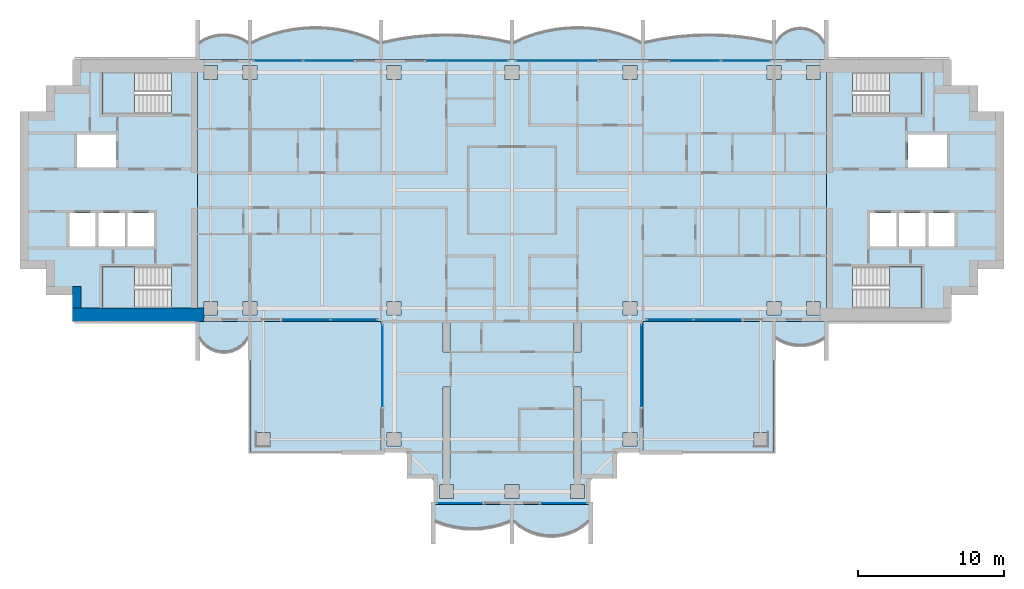
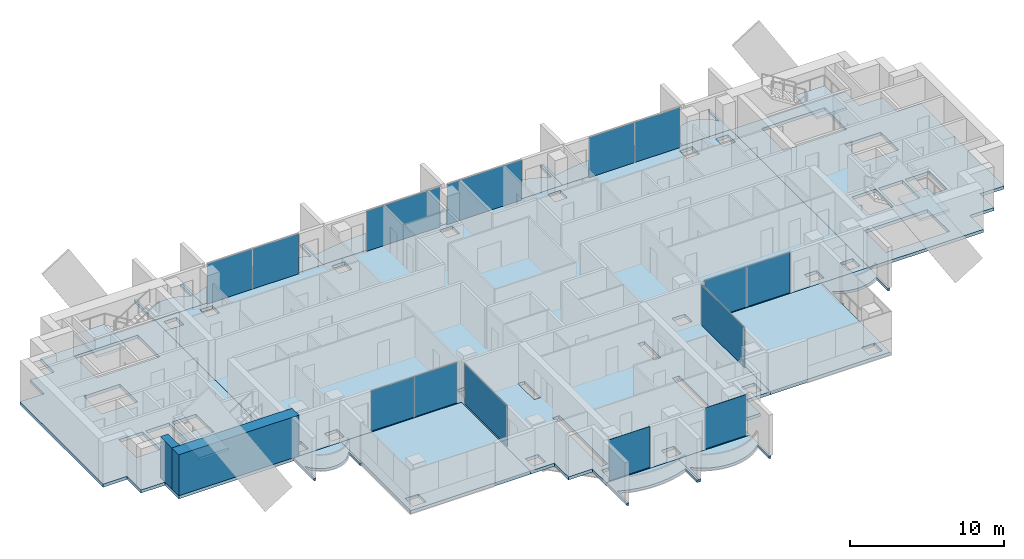
# One storey, part 7 of 18: 19 slabs, 14 plates, 2 walls, 14 elements without a shape of their own.
"""IFC4 building model written with IfcOpenShell, lengths in metres."""

import ifcopenshell
import ifcopenshell.guid

model = None  # the IFC model being written
_history = None  # IfcOwnerHistory: only IFC2X3 demands one
_inside = {}  # id of a spatial element -> (the spatial element, [elements in it])
_under = {}  # id of a project, library or spatial element -> (it, [spatial elements below it])
_declared = {}  # id of a project -> (the project, [libraries it declares])
_typed = {}  # id of a type object -> (the type object, [elements of that type])
_made_of = {}  # id of a material, layer set ... -> (it, [elements and type objects made of it])


def new_model(schema):
    """Start an empty IFC model of exactly this schema.

    Asked for "IFC4X3", IfcOpenShell would pick the latest addendum, in which some entities
    have other attributes; the version numbers below select the first issue.
    IFC2X3 requires an IfcOwnerHistory on every rooted entity: one is made here for all.
    """
    global model, _history
    if schema == "IFC4X3":
        model = ifcopenshell.file(schema_version=(4, 3, 0, 0))
    else:
        model = ifcopenshell.file(schema=schema)
    _inside.clear()
    _under.clear()
    _declared.clear()
    _typed.clear()
    _made_of.clear()
    _history = None
    if model.schema == "IFC2X3":
        org = make("IfcOrganization", Name="unknown")
        user = make(
            "IfcPersonAndOrganization",
            ThePerson=make("IfcPerson", FamilyName="unknown"),
            TheOrganization=org,
        )
        app = make(
            "IfcApplication",
            ApplicationDeveloper=org,
            Version="unknown",
            ApplicationFullName="unknown",
            ApplicationIdentifier="unknown",
        )
        _history = make(
            "IfcOwnerHistory",
            OwningUser=user,
            OwningApplication=app,
            ChangeAction="ADDED",
            CreationDate=0,
        )
    return model


def make(cls, **values):
    """One entity of the class cls with the attributes given. An attribute that is None is left unset."""
    return model.create_entity(
        cls, **{name: value for name, value in values.items() if value is not None}
    )


def rooted(cls, **values):
    """An entity with a GlobalId (a new one), such as an element, a storey or a relation."""
    return make(cls, GlobalId=ifcopenshell.guid.new(), OwnerHistory=_history, **values)


def si_unit(unit_type, name, prefix=None):
    """IfcSIUnit, for example si_unit("LENGTHUNIT", "METRE", prefix="MILLI")."""
    return make("IfcSIUnit", UnitType=unit_type, Prefix=prefix, Name=name)


def assignment(units):
    """IfcUnitAssignment: the units of a project."""
    return None if units is None else make("IfcUnitAssignment", Units=units)


def point(xyz):
    """IfcCartesianPoint."""
    return None if xyz is None else make("IfcCartesianPoint", Coordinates=xyz)


def direction(xyz):
    """IfcDirection."""
    return None if xyz is None else make("IfcDirection", DirectionRatios=xyz)


def frame(location, z_axis=None, x_axis=None):
    """IfcAxis2Placement3D, a coordinate frame: its origin and axes. An axis left out is left unset."""
    return make(
        "IfcAxis2Placement3D",
        Location=point(location),
        Axis=direction(z_axis),
        RefDirection=direction(x_axis),
    )


def frame_2d(location, x_axis=None):
    """IfcAxis2Placement2D, a coordinate frame in the plane: its origin and x axis."""
    return make(
        "IfcAxis2Placement2D", Location=point(location), RefDirection=direction(x_axis)
    )


def origin():
    """The frame at (0, 0, 0) with its axes left unset."""
    return frame((0.0, 0.0, 0.0))


def origin_2d():
    """The frame at (0, 0) in the plane with its x axis left unset."""
    return frame_2d((0.0, 0.0))


def place(relative_to, where):
    """IfcLocalPlacement: puts the frame where relative to a parent placement (None: the world)."""
    return make(
        "IfcLocalPlacement", PlacementRelTo=relative_to, RelativePlacement=where
    )


def context(
    kind, dimensions, precision=None, world=None, true_north=None, identifier=None
):
    """IfcGeometricRepresentationContext, for example the 3D "Model" context."""
    return make(
        "IfcGeometricRepresentationContext",
        ContextIdentifier=identifier,
        ContextType=kind,
        CoordinateSpaceDimension=dimensions,
        Precision=precision,
        WorldCoordinateSystem=world,
        TrueNorth=true_north,
    )


def subcontext(parent, identifier, kind, view, scale=None):
    """IfcGeometricRepresentationSubContext, for example "Body" below "Model"."""
    return make(
        "IfcGeometricRepresentationSubContext",
        ContextIdentifier=identifier,
        ContextType=kind,
        ParentContext=parent,
        TargetScale=scale,
        TargetView=view,
    )


def project(units=None, contexts=None):
    """IfcProject with its units and contexts."""
    return rooted(
        "IfcProject",
        Name="project",
        RepresentationContexts=contexts,
        UnitsInContext=assignment(units),
    )


def spatial(cls, under=None, at=None, **own):
    """A site, building, storey or space (cls), placed at a placement, below another one or the project."""
    s = rooted(cls, ObjectPlacement=at, **own)
    if under is not None:
        _under.setdefault(under.id(), (under, []))[1].append(s)
    return s


def polyline(points):
    """IfcPolyline through the points."""
    return make("IfcPolyline", Points=[point(p) for p in points])


def profile(cls, at=None, kind="AREA", **sizes):
    """A parametric profile (cls). Its sizes go by their IFC names, for example OverallWidth=200.0."""
    return make(cls, ProfileType=kind, Position=at, **sizes)


def rectangle(**sizes):
    """IfcRectangleProfileDef."""
    return profile("IfcRectangleProfileDef", **sizes)


def outline(outer, holes=None, kind="AREA"):
    """IfcArbitraryClosedProfileDef: a profile drawn as a closed curve; with holes, ...WithVoids."""
    if holes is None:
        return make("IfcArbitraryClosedProfileDef", ProfileType=kind, OuterCurve=outer)
    return make(
        "IfcArbitraryProfileDefWithVoids",
        ProfileType=kind,
        OuterCurve=outer,
        InnerCurves=holes,
    )


def extrude(swept, where, along, depth):
    """IfcExtrudedAreaSolid: the profile swept, set in the frame where, extruded along a direction by depth."""
    return make(
        "IfcExtrudedAreaSolid",
        SweptArea=swept,
        Position=where,
        ExtrudedDirection=direction(along),
        Depth=depth,
    )


def shape(context_of_items, identifier, shape_type, items):
    """IfcShapeRepresentation: the items that make up one representation, for example the "Body"."""
    return make(
        "IfcShapeRepresentation",
        ContextOfItems=context_of_items,
        RepresentationIdentifier=identifier,
        RepresentationType=shape_type,
        Items=items,
    )


def material(Name=None, Category=None):
    """IfcMaterial."""
    return make("IfcMaterial", Name=Name, Category=Category)


def layer(
    of_material, thickness, ventilated=None, Name=None, Category=None, Priority=None
):
    """IfcMaterialLayer: one layer of a wall or slab, of a material (None: an air gap)."""
    return make(
        "IfcMaterialLayer",
        Material=of_material,
        LayerThickness=thickness,
        IsVentilated=ventilated,
        Name=Name,
        Category=Category,
        Priority=Priority,
    )


def layer_set(layers, Name=None):
    """IfcMaterialLayerSet."""
    return make("IfcMaterialLayerSet", MaterialLayers=layers, LayerSetName=Name)


def made_of(thing, what):
    """Note that an element or type object is made of a material, layer set ...; save() writes the relation."""
    if what is not None:
        _made_of.setdefault(what.id(), (what, []))[1].append(thing)
    return thing


def type_object(cls, material=None, **own):
    """A type object (cls), such as IfcWallType, which elements share."""
    return made_of(rooted(cls, **own), material)


def element(
    cls,
    number,
    at=None,
    inside=None,
    cuts=None,
    type_object=None,
    material=None,
    context=None,
    identifier="Body",
    shape_type=None,
    held_by="IfcProductDefinitionShape",
    body=None,
    shapes=None,
    **own,
):
    """One element of the class cls, such as IfcWall. Its Tag is "e" and its number.

    at: its placement. inside: the storey or other place that contains it. cuts: it is an
    opening in that element (IfcRelVoidsElement). A single representation is given by context,
    identifier, shape_type and body (its items); several are given by shapes. held_by: the class
    of the entity that holds the representations. save() writes the other relations.
    """
    e = rooted(cls, Tag="e%d" % number, ObjectPlacement=at, **own)
    if body is not None:
        shapes = [shape(context, identifier, shape_type, body)]
    if shapes is not None:
        e.Representation = make(held_by, Representations=shapes)
    if inside is not None:
        _inside.setdefault(inside.id(), (inside, []))[1].append(e)
    if cuts is not None:
        rooted(
            "IfcRelVoidsElement", RelatingBuildingElement=cuts, RelatedOpeningElement=e
        )
    if type_object is not None:
        _typed.setdefault(type_object.id(), (type_object, []))[1].append(e)
    return made_of(e, material)


def aggregate(whole, parts):
    """IfcRelAggregates: a whole, such as a stair, and the parts it consists of."""
    return rooted("IfcRelAggregates", RelatingObject=whole, RelatedObjects=parts)


def save(model, path):
    """Write the relations noted so far, then the file.

    IfcRelAggregates (storeys below a building ...), IfcRelContainedInSpatialStructure (elements
    in a storey), IfcRelDefinesByType, IfcRelAssociatesMaterial and IfcRelDeclares: one each for
    every whole, place, type object, material and project.
    """
    for whole, parts in _under.values():
        aggregate(whole, parts)
    for where, things in _inside.values():
        rooted(
            "IfcRelContainedInSpatialStructure",
            RelatedElements=things,
            RelatingStructure=where,
        )
    for kind, things in _typed.values():
        rooted("IfcRelDefinesByType", RelatedObjects=things, RelatingType=kind)
    for what, things in _made_of.values():
        rooted("IfcRelAssociatesMaterial", RelatedObjects=things, RelatingMaterial=what)
    for by, libraries in _declared.values():
        rooted("IfcRelDeclares", RelatingContext=by, RelatedDefinitions=libraries)
    model.write(path)


model = new_model("IFC4")

# Units and contexts
model_context = context("Model", 3, precision=1e-05, world=origin(), true_north=direction((0.0, 1.0)))
body_context = subcontext(model_context, "Body", "Model", "MODEL_VIEW")
ifc_project = project(units=[si_unit("LENGTHUNIT", "METRE"), si_unit("AREAUNIT", "SQUARE_METRE"), si_unit("VOLUMEUNIT", "CUBIC_METRE"), si_unit("PLANEANGLEUNIT", "RADIAN"), si_unit("MASSUNIT", "GRAM", prefix="KILO")], contexts=[model_context])

# Site, building, storey
site_placement = place(None, origin())
site = spatial("IfcSite", under=ifc_project, at=site_placement, CompositionType="ELEMENT")
building_placement = place(site_placement, origin())
building = spatial("IfcBuilding", under=site, at=building_placement, Name="Perihelion Cross Residences", CompositionType="ELEMENT")
storey_placement = place(building_placement, frame((0.0, 0.0, 177.10009765625)))
storey = spatial("IfcBuildingStorey", under=building, at=storey_placement, Name="L43", CompositionType="ELEMENT", Elevation=177.10009765625)

# Slabs
ifc_material_1 = material(Name="Concrete C40/50", Category="concrete")
ifc_layer_1 = layer(ifc_material_1, 0.199951171875)
ifc_layer_set_1 = layer_set([ifc_layer_1], Name="Balcony slab 200")
slab_type_1 = type_object("IfcSlabType", Name="Balcony slab 200", PredefinedType="FLOOR", material=ifc_layer_set_1)
slab_1_placement = place(storey_placement, frame((0.0, 0.0, -0.2001953125)))
element("IfcSlab", 1, at=slab_1_placement, inside=storey, type_object=slab_type_1, Name="Slab BK1 L43 east side north bay 1 balcony", PredefinedType="FLOOR", context=body_context, shape_type="SweptSolid", body=[
    extrude(outline(polyline([(21.60009765625, 9.0), (18.0, 9.0), (18.0, 11.699951171875), (18.14990234375, 11.699951171875), (18.14990234375, 10.199951171875), (18.425048828125, 10.568603515625), (18.699951171875, 10.806396484375), (18.97509765625, 10.96875), (19.25, 11.07568359375), (19.52490234375, 11.136962890625), (19.800048828125, 11.156982421875), (20.074951171875, 11.136962890625), (20.35009765625, 11.07568359375), (20.625, 10.96875), (20.89990234375, 10.806396484375), (21.175048828125, 10.568603515625), (21.449951171875, 10.199951171875), (21.449951171875, 11.699951171875), (21.60009765625, 11.699951171875), (21.60009765625, 9.0)])), origin(), (0.0, 0.0, 1.0), 0.2001953125),
])
slab_2_placement = place(storey_placement, frame((0.0, 0.0, -0.2001953125)))
element("IfcSlab", 2, at=slab_2_placement, inside=storey, type_object=slab_type_1, Name="Slab BK1 L43 east side north bay 2 balcony", PredefinedType="FLOOR", context=body_context, shape_type="SweptSolid", body=[
    extrude(outline(polyline([(18.0, 9.0), (9.0, 9.0), (9.0, 11.699951171875), (9.14990234375, 11.699951171875), (9.14990234375, 10.199951171875), (10.237548828125, 10.42041015625), (11.324951171875, 10.576171875), (12.41259765625, 10.669189453125), (13.5, 10.699951171875), (14.58740234375, 10.669189453125), (15.675048828125, 10.576171875), (16.762451171875, 10.42041015625), (17.85009765625, 10.199951171875), (17.85009765625, 11.699951171875), (18.0, 11.699951171875), (18.0, 9.0)])), origin(), (0.0, 0.0, 1.0), 0.2001953125),
])
slab_3_placement = place(storey_placement, frame((0.0, 0.0, -0.2001953125)))
element("IfcSlab", 3, at=slab_3_placement, inside=storey, type_object=slab_type_1, Name="Slab BK1 L43 north side east bay 1 balcony", PredefinedType="FLOOR", context=body_context, shape_type="SweptSolid", body=[
    extrude(outline(polyline([(9.0, 9.0), (0.0, 9.0), (0.0, 11.699951171875), (0.14990234375, 11.699951171875), (0.14990234375, 10.199951171875), (0.875, 10.51708984375), (1.60009765625, 10.7685546875), (2.324951171875, 10.959716796875), (3.050048828125, 11.093994140625), (3.77490234375, 11.173583984375), (4.5, 11.199951171875), (5.22509765625, 11.173583984375), (5.949951171875, 11.093994140625), (6.675048828125, 10.959716796875), (7.39990234375, 10.7685546875), (8.125, 10.51708984375), (8.85009765625, 10.199951171875), (8.85009765625, 11.699951171875), (9.0, 11.699951171875), (9.0, 9.0)])), origin(), (0.0, 0.0, 1.0), 0.2001953125),
])
slab_4_placement = place(storey_placement, frame((0.0, 0.0, -0.2001953125)))
element("IfcSlab", 4, at=slab_4_placement, inside=storey, type_object=slab_type_1, Name="Slab BK1 L43 north side east bay 2 balcony", PredefinedType="FLOOR", context=body_context, shape_type="SweptSolid", body=[
    extrude(outline(polyline([(0.0, 9.0), (-9.0, 9.0), (-9.0, 11.699951171875), (-8.85009765625, 11.699951171875), (-8.85009765625, 10.199951171875), (-7.762451171875, 10.42041015625), (-6.675048828125, 10.576171875), (-5.58740234375, 10.669189453125), (-4.5, 10.699951171875), (-3.41259765625, 10.669189453125), (-2.324951171875, 10.576171875), (-1.237548828125, 10.42041015625), (-0.14990234375, 10.199951171875), (-0.14990234375, 11.699951171875), (0.0, 11.699951171875), (0.0, 9.0)])), origin(), (0.0, 0.0, 1.0), 0.2001953125),
])
slab_5_placement = place(storey_placement, frame((0.0, 0.0, -0.2001953125)))
element("IfcSlab", 5, at=slab_5_placement, inside=storey, type_object=slab_type_1, Name="Slab BK1 L43 west side north bay 1 balcony", PredefinedType="FLOOR", context=body_context, shape_type="SweptSolid", body=[
    extrude(outline(polyline([(-9.0, 9.0), (-18.0, 9.0), (-18.0, 11.699951171875), (-17.85009765625, 11.699951171875), (-17.85009765625, 10.199951171875), (-17.125, 10.51708984375), (-16.39990234375, 10.7685546875), (-15.675048828125, 10.959716796875), (-14.949951171875, 11.093994140625), (-14.22509765625, 11.173583984375), (-13.5, 11.199951171875), (-12.77490234375, 11.173583984375), (-12.050048828125, 11.093994140625), (-11.324951171875, 10.959716796875), (-10.60009765625, 10.7685546875), (-9.875, 10.51708984375), (-9.14990234375, 10.199951171875), (-9.14990234375, 11.699951171875), (-9.0, 11.699951171875), (-9.0, 9.0)])), origin(), (0.0, 0.0, 1.0), 0.2001953125),
])
slab_6_placement = place(storey_placement, frame((0.0, 0.0, -0.2001953125)))
element("IfcSlab", 6, at=slab_6_placement, inside=storey, type_object=slab_type_1, Name="Slab BK1 L43 west side north bay 2 balcony", PredefinedType="FLOOR", context=body_context, shape_type="SweptSolid", body=[
    extrude(outline(polyline([(-18.0, 9.0), (-21.60009765625, 9.0), (-21.60009765625, 11.699951171875), (-21.449951171875, 11.699951171875), (-21.449951171875, 10.199951171875), (-21.083251953125, 10.40869140625), (-20.716552734375, 10.55517578125), (-20.35009765625, 10.648681640625), (-19.9833984375, 10.6943359375), (-19.61669921875, 10.6943359375), (-19.25, 10.648681640625), (-18.88330078125, 10.55517578125), (-18.5166015625, 10.40869140625), (-18.14990234375, 10.199951171875), (-18.14990234375, 11.699951171875), (-18.0, 11.699951171875), (-18.0, 9.0)])), origin(), (0.0, 0.0, 1.0), 0.2001953125),
])
slab_7_placement = place(storey_placement, frame((0.0, 0.0, -0.2001953125)))
element("IfcSlab", 7, at=slab_7_placement, inside=storey, type_object=slab_type_1, Name="Slab BK1 L43 west side south bay 1 balcony", PredefinedType="FLOOR", context=body_context, shape_type="SweptSolid", body=[
    extrude(outline(polyline([(-21.60009765625, -9.0), (-18.0, -9.0), (-18.0, -11.699951171875), (-18.14990234375, -11.699951171875), (-18.14990234375, -10.199951171875), (-18.425048828125, -10.568603515625), (-18.699951171875, -10.806396484375), (-18.97509765625, -10.96875), (-19.25, -11.07568359375), (-19.52490234375, -11.136962890625), (-19.800048828125, -11.156982421875), (-20.074951171875, -11.136962890625), (-20.35009765625, -11.07568359375), (-20.625, -10.96875), (-20.89990234375, -10.806396484375), (-21.175048828125, -10.568603515625), (-21.449951171875, -10.199951171875), (-21.449951171875, -11.699951171875), (-21.60009765625, -11.699951171875), (-21.60009765625, -9.0)])), origin(), (0.0, 0.0, 1.0), 0.2001953125),
])
slab_8_placement = place(storey_placement, frame((0.0, 0.0, -0.2001953125)))
element("IfcSlab", 8, at=slab_8_placement, inside=storey, type_object=slab_type_1, Name="Slab BK1 L43 south tip south bay 1 balcony", PredefinedType="FLOOR", context=body_context, shape_type="SweptSolid", body=[
    extrude(outline(polyline([(-5.39990234375, -21.60009765625), (0.0, -21.60009765625), (0.0, -24.300048828125), (-0.14990234375, -24.300048828125), (-0.14990234375, -22.800048828125), (-0.78759765625, -23.0234375), (-1.425048828125, -23.178466796875), (-2.0625, -23.269775390625), (-2.699951171875, -23.300048828125), (-3.33740234375, -23.269775390625), (-3.97509765625, -23.178466796875), (-4.612548828125, -23.0234375), (-5.25, -22.800048828125), (-5.25, -24.300048828125), (-5.39990234375, -24.300048828125), (-5.39990234375, -21.60009765625)])), origin(), (0.0, 0.0, 1.0), 0.2001953125),
])
slab_9_placement = place(storey_placement, frame((0.0, 0.0, -0.2001953125)))
element("IfcSlab", 9, at=slab_9_placement, inside=storey, type_object=slab_type_1, Name="Slab BK1 L43 south tip south bay 2 balcony", PredefinedType="FLOOR", context=body_context, shape_type="SweptSolid", body=[
    extrude(outline(polyline([(0.0, -21.60009765625), (5.39990234375, -21.60009765625), (5.39990234375, -24.300048828125), (5.25, -24.300048828125), (5.25, -22.800048828125), (4.824951171875, -23.14013671875), (4.39990234375, -23.392578125), (3.97509765625, -23.57666015625), (3.550048828125, -23.702392578125), (3.125, -23.77587890625), (2.699951171875, -23.800048828125), (2.27490234375, -23.77587890625), (1.85009765625, -23.702392578125), (1.425048828125, -23.57666015625), (1.0, -23.392578125), (0.574951171875, -23.14013671875), (0.14990234375, -22.800048828125), (0.14990234375, -24.300048828125), (0.0, -24.300048828125), (0.0, -21.60009765625)])), origin(), (0.0, 0.0, 1.0), 0.2001953125),
])
slab_10_placement = place(storey_placement, frame((0.0, 0.0, -0.2001953125)))
element("IfcSlab", 10, at=slab_10_placement, inside=storey, type_object=slab_type_1, Name="Slab BK1 L43 east side south bay 2 balcony", PredefinedType="FLOOR", context=body_context, shape_type="SweptSolid", body=[
    extrude(outline(polyline([(18.0, -9.0), (21.60009765625, -9.0), (21.60009765625, -11.699951171875), (21.449951171875, -11.699951171875), (21.449951171875, -10.199951171875), (21.083251953125, -10.40869140625), (20.716552734375, -10.55517578125), (20.35009765625, -10.648681640625), (19.9833984375, -10.6943359375), (19.61669921875, -10.6943359375), (19.25, -10.648681640625), (18.88330078125, -10.55517578125), (18.5166015625, -10.40869140625), (18.14990234375, -10.199951171875), (18.14990234375, -11.699951171875), (18.0, -11.699951171875), (18.0, -9.0)])), origin(), (0.0, 0.0, 1.0), 0.2001953125),
])

# Curtain wall, plates
ifc_material_2 = material(Name="Bronze anodised aluminium, tinted glazing", Category="aluminium")
curtain_wall_type = type_object("IfcCurtainWallType", Name="CW1", PredefinedType="NOTDEFINED", material=ifc_material_2)
curtain_wall_1_placement = place(storey_placement, origin())
curtain_wall_1 = element("IfcCurtainWall", 11, at=curtain_wall_1_placement, inside=storey, type_object=curtain_wall_type, Name="Curtain wall CW1 L43 east side north bay 2", PredefinedType="NOTDEFINED")
ifc_material_3 = material(Name="Tinted laminated glass", Category="glass")
ifc_layer_2 = layer(ifc_material_3, 0.028076171875)
ifc_layer_set_2 = layer_set([ifc_layer_2], Name="CW1 panel")
plate_type = type_object("IfcPlateType", Name="CW1 panel", PredefinedType="CURTAIN_PANEL", material=ifc_layer_set_2)
plate_1_placement = place(storey_placement, frame((16.06005859375, 8.89990234375, 0.0), z_axis=(0.0, 0.0, 1.0), x_axis=(-1.0, 0.0, 0.0)))
plate_1 = element("IfcPlate", 12, at=plate_1_placement, type_object=plate_type, Name="CW1 panel 1", PredefinedType="CURTAIN_PANEL", context=body_context, shape_type="SweptSolid", body=[
    extrude(rectangle(XDim=3.360107421875, YDim=0.028076171875, at=origin_2d()), origin(), (0.0, 0.0, 1.0), 3.18994140625),
])
plate_2_placement = place(storey_placement, frame((12.610107421875, 8.89990234375, 0.0), z_axis=(0.0, 0.0, 1.0), x_axis=(-1.0, 0.0, 0.0)))
plate_2 = element("IfcPlate", 13, at=plate_2_placement, type_object=plate_type, Name="CW1 panel 2", PredefinedType="CURTAIN_PANEL", context=body_context, shape_type="SweptSolid", body=[
    extrude(rectangle(XDim=3.419921875, YDim=0.028076171875, at=origin_2d()), origin(), (0.0, 0.0, 1.0), 3.18994140625),
])
aggregate(curtain_wall_1, [plate_1, plate_2])

# Curtain wall, plate
curtain_wall_2_placement = place(storey_placement, origin())
curtain_wall_2 = element("IfcCurtainWall", 14, at=curtain_wall_2_placement, inside=storey, type_object=curtain_wall_type, Name="Curtain wall CW1 L43 north side east bay 1", PredefinedType="NOTDEFINED")
plate_3_placement = place(storey_placement, frame((3.04248046875, 8.89990234375, 0.0), z_axis=(0.0, 0.0, 1.0), x_axis=(-1.0, 0.0, 0.0)))
plate_3 = element("IfcPlate", 15, at=plate_3_placement, type_object=plate_type, Name="CW1 panel 1", PredefinedType="CURTAIN_PANEL", context=body_context, shape_type="SweptSolid", body=[
    extrude(rectangle(XDim=5.56494140625, YDim=0.028076171875, at=origin_2d()), origin(), (0.0, 0.0, 1.0), 3.18994140625),
])
aggregate(curtain_wall_2, [plate_3])

curtain_wall_3_placement = place(storey_placement, origin())
curtain_wall_3 = element("IfcCurtainWall", 16, at=curtain_wall_3_placement, inside=storey, type_object=curtain_wall_type, Name="Curtain wall CW1 L43 north side east bay 2", PredefinedType="NOTDEFINED")
plate_4_placement = place(storey_placement, frame((-3.04248046875, 8.89990234375, 0.0), z_axis=(0.0, 0.0, 1.0), x_axis=(-1.0, 0.0, 0.0)))
plate_4 = element("IfcPlate", 17, at=plate_4_placement, type_object=plate_type, Name="CW1 panel 1", PredefinedType="CURTAIN_PANEL", context=body_context, shape_type="SweptSolid", body=[
    extrude(rectangle(XDim=5.56494140625, YDim=0.028076171875, at=origin_2d()), origin(), (0.0, 0.0, 1.0), 3.18994140625),
])
aggregate(curtain_wall_3, [plate_4])

# Curtain wall, plates
curtain_wall_4_placement = place(storey_placement, origin())
curtain_wall_4 = element("IfcCurtainWall", 18, at=curtain_wall_4_placement, inside=storey, type_object=curtain_wall_type, Name="Curtain wall CW1 L43 west side north bay 1", PredefinedType="NOTDEFINED")
plate_5_placement = place(storey_placement, frame((-12.610107421875, 8.89990234375, 0.0), z_axis=(0.0, 0.0, 1.0), x_axis=(-1.0, 0.0, 0.0)))
plate_5 = element("IfcPlate", 19, at=plate_5_placement, type_object=plate_type, Name="CW1 panel 1", PredefinedType="CURTAIN_PANEL", context=body_context, shape_type="SweptSolid", body=[
    extrude(rectangle(XDim=3.419921875, YDim=0.028076171875, at=origin_2d()), origin(), (0.0, 0.0, 1.0), 3.18994140625),
])
plate_6_placement = place(storey_placement, frame((-16.06005859375, 8.89990234375, 0.0), z_axis=(0.0, 0.0, 1.0), x_axis=(-1.0, 0.0, 0.0)))
plate_6 = element("IfcPlate", 20, at=plate_6_placement, type_object=plate_type, Name="CW1 panel 2", PredefinedType="CURTAIN_PANEL", context=body_context, shape_type="SweptSolid", body=[
    extrude(rectangle(XDim=3.360107421875, YDim=0.028076171875, at=origin_2d()), origin(), (0.0, 0.0, 1.0), 3.18994140625),
])
aggregate(curtain_wall_4, [plate_5, plate_6])

curtain_wall_5_placement = place(storey_placement, origin())
curtain_wall_5 = element("IfcCurtainWall", 21, at=curtain_wall_5_placement, inside=storey, type_object=curtain_wall_type, Name="Curtain wall CW1 L43 west side south bay 2", PredefinedType="NOTDEFINED")
plate_7_placement = place(storey_placement, frame((-14.108642578125, -8.89990234375, 0.0), z_axis=(0.0, 0.0, 1.0), x_axis=(1.0, 0.0, 0.0)))
plate_7 = element("IfcPlate", 22, at=plate_7_placement, type_object=plate_type, Name="CW1 panel 1", PredefinedType="CURTAIN_PANEL", context=body_context, shape_type="SweptSolid", body=[
    extrude(rectangle(XDim=3.232421875, YDim=0.028076171875, at=origin_2d()), origin(), (0.0, 0.0, 1.0), 3.18994140625),
])
plate_8_placement = place(storey_placement, frame((-10.84619140625, -8.89990234375, 0.0), z_axis=(0.0, 0.0, 1.0), x_axis=(1.0, 0.0, 0.0)))
plate_8 = element("IfcPlate", 23, at=plate_8_placement, type_object=plate_type, Name="CW1 panel 2", PredefinedType="CURTAIN_PANEL", context=body_context, shape_type="SweptSolid", body=[
    extrude(rectangle(XDim=3.172607421875, YDim=0.028076171875, at=origin_2d()), origin(), (0.0, 0.0, 1.0), 3.18994140625),
])
aggregate(curtain_wall_5, [plate_7, plate_8])

# Curtain wall, plate
curtain_wall_6_placement = place(storey_placement, origin())
curtain_wall_6 = element("IfcCurtainWall", 24, at=curtain_wall_6_placement, inside=storey, type_object=curtain_wall_type, Name="Curtain wall CW1 L43 south side west bay 1", PredefinedType="NOTDEFINED")
plate_9_placement = place(storey_placement, frame((-8.89990234375, -12.04248046875, 0.0), z_axis=(0.0, 0.0, 1.0), x_axis=(0.0, -1.0, 0.0)))
plate_9 = element("IfcPlate", 25, at=plate_9_placement, type_object=plate_type, Name="CW1 panel 1", PredefinedType="CURTAIN_PANEL", context=body_context, shape_type="SweptSolid", body=[
    extrude(rectangle(XDim=5.56494140625, YDim=0.028076171875, at=origin_2d()), origin(), (0.0, 0.0, 1.0), 3.18994140625),
])
aggregate(curtain_wall_6, [plate_9])

curtain_wall_7_placement = place(storey_placement, origin())
curtain_wall_7 = element("IfcCurtainWall", 26, at=curtain_wall_7_placement, inside=storey, type_object=curtain_wall_type, Name="Curtain wall CW1 L43 south tip south bay 1", PredefinedType="NOTDEFINED")
plate_10_placement = place(storey_placement, frame((-3.607421875, -21.5, 0.0), z_axis=(0.0, 0.0, 1.0), x_axis=(1.0, 0.0, 0.0)))
plate_10 = element("IfcPlate", 27, at=plate_10_placement, type_object=plate_type, Name="CW1 panel 1", PredefinedType="CURTAIN_PANEL", context=body_context, shape_type="SweptSolid", body=[
    extrude(rectangle(XDim=3.06494140625, YDim=0.028076171875, at=origin_2d()), origin(), (0.0, 0.0, 1.0), 3.25),
])
aggregate(curtain_wall_7, [plate_10])

curtain_wall_8_placement = place(storey_placement, origin())
curtain_wall_8 = element("IfcCurtainWall", 28, at=curtain_wall_8_placement, inside=storey, type_object=curtain_wall_type, Name="Curtain wall CW1 L43 south tip south bay 2", PredefinedType="NOTDEFINED")
plate_11_placement = place(storey_placement, frame((3.607421875, -21.5, 0.0), z_axis=(0.0, 0.0, 1.0), x_axis=(1.0, 0.0, 0.0)))
plate_11 = element("IfcPlate", 29, at=plate_11_placement, type_object=plate_type, Name="CW1 panel 1", PredefinedType="CURTAIN_PANEL", context=body_context, shape_type="SweptSolid", body=[
    extrude(rectangle(XDim=3.06494140625, YDim=0.028076171875, at=origin_2d()), origin(), (0.0, 0.0, 1.0), 3.25),
])
aggregate(curtain_wall_8, [plate_11])

curtain_wall_9_placement = place(storey_placement, origin())
curtain_wall_9 = element("IfcCurtainWall", 30, at=curtain_wall_9_placement, inside=storey, type_object=curtain_wall_type, Name="Curtain wall CW1 L43 south side east bay 1", PredefinedType="NOTDEFINED")
plate_12_placement = place(storey_placement, frame((8.89990234375, -12.04248046875, 0.0), z_axis=(0.0, 0.0, 1.0), x_axis=(0.0, 1.0, 0.0)))
plate_12 = element("IfcPlate", 31, at=plate_12_placement, type_object=plate_type, Name="CW1 panel 1", PredefinedType="CURTAIN_PANEL", context=body_context, shape_type="SweptSolid", body=[
    extrude(rectangle(XDim=5.56494140625, YDim=0.028076171875, at=origin_2d()), origin(), (0.0, 0.0, 1.0), 3.18994140625),
])
aggregate(curtain_wall_9, [plate_12])

# Curtain wall, plates
curtain_wall_10_placement = place(storey_placement, origin())
curtain_wall_10 = element("IfcCurtainWall", 32, at=curtain_wall_10_placement, inside=storey, type_object=curtain_wall_type, Name="Curtain wall CW1 L43 east side south bay 1", PredefinedType="NOTDEFINED")
plate_13_placement = place(storey_placement, frame((10.84619140625, -8.89990234375, 0.0), z_axis=(0.0, 0.0, 1.0), x_axis=(1.0, 0.0, 0.0)))
plate_13 = element("IfcPlate", 33, at=plate_13_placement, type_object=plate_type, Name="CW1 panel 1", PredefinedType="CURTAIN_PANEL", context=body_context, shape_type="SweptSolid", body=[
    extrude(rectangle(XDim=3.172607421875, YDim=0.028076171875, at=origin_2d()), origin(), (0.0, 0.0, 1.0), 3.18994140625),
])
plate_14_placement = place(storey_placement, frame((14.108642578125, -8.89990234375, 0.0), z_axis=(0.0, 0.0, 1.0), x_axis=(1.0, 0.0, 0.0)))
plate_14 = element("IfcPlate", 34, at=plate_14_placement, type_object=plate_type, Name="CW1 panel 2", PredefinedType="CURTAIN_PANEL", context=body_context, shape_type="SweptSolid", body=[
    extrude(rectangle(XDim=3.232421875, YDim=0.028076171875, at=origin_2d()), origin(), (0.0, 0.0, 1.0), 3.18994140625),
])
aggregate(curtain_wall_10, [plate_13, plate_14])

# Slabs
ifc_material_4 = material(Name="Concrete C40/50", Category="concrete")
ifc_layer_3 = layer(ifc_material_4, 0.25)
ifc_layer_set_3 = layer_set([ifc_layer_3], Name="Core floor slab 250")
slab_type_2 = type_object("IfcSlabType", Name="Core floor slab 250", PredefinedType="FLOOR", material=ifc_layer_set_3)
slab_11_placement = place(storey_placement, frame((0.0, 0.0, -0.25)))
element("IfcSlab", 35, at=slab_11_placement, inside=storey, type_object=slab_type_2, Name="East core floor slab", PredefinedType="FLOOR", context=body_context, shape_type="SweptSolid", body=[
    extrude(outline(polyline([(30.199951171875, 7.199951171875), (32.0, 7.199951171875), (32.0, 5.39990234375), (33.800048828125, 5.39990234375), (33.800048828125, -5.39990234375), (32.0, -5.39990234375), (32.0, -7.199951171875), (30.199951171875, -7.199951171875), (30.199951171875, -9.0), (21.60009765625, -9.0), (21.60009765625, 9.0), (30.199951171875, 9.0), (30.199951171875, 7.199951171875)]), holes=[polyline([(28.14990234375, -8.10009765625), (28.14990234375, -5.25), (23.405029296875, -5.25), (23.405029296875, -8.10009765625), (28.14990234375, -8.10009765625)]), polyline([(24.60009765625, -1.550048828125), (24.60009765625, -3.85009765625), (26.39990234375, -3.85009765625), (26.39990234375, -1.550048828125), (24.60009765625, -1.550048828125)]), polyline([(26.60009765625, -1.550048828125), (26.60009765625, -3.85009765625), (28.39990234375, -3.85009765625), (28.39990234375, -1.550048828125), (26.60009765625, -1.550048828125)]), polyline([(28.60009765625, -3.85009765625), (30.39990234375, -3.85009765625), (30.39990234375, -1.550048828125), (28.60009765625, -1.550048828125), (28.60009765625, -3.85009765625)]), polyline([(27.199951171875, 3.85009765625), (27.199951171875, 1.550048828125), (29.89990234375, 1.550048828125), (29.89990234375, 3.85009765625), (27.199951171875, 3.85009765625)]), polyline([(23.405029296875, 5.25), (28.14990234375, 5.25), (28.14990234375, 8.10009765625), (23.405029296875, 8.10009765625), (23.405029296875, 5.25)])]), origin(), (0.0, 0.0, 1.0), 0.25),
])
slab_12_placement = place(storey_placement, frame((0.0, 0.0, -0.25)))
element("IfcSlab", 36, at=slab_12_placement, inside=storey, type_object=slab_type_2, Name="West core floor slab", PredefinedType="FLOOR", context=body_context, shape_type="SweptSolid", body=[
    extrude(outline(polyline([(-30.199951171875, 7.199951171875), (-32.0, 7.199951171875), (-32.0, 5.39990234375), (-33.800048828125, 5.39990234375), (-33.800048828125, -5.39990234375), (-32.0, -5.39990234375), (-32.0, -7.199951171875), (-30.199951171875, -7.199951171875), (-30.199951171875, -9.0), (-21.60009765625, -9.0), (-21.60009765625, 9.0), (-30.199951171875, 9.0), (-30.199951171875, 7.199951171875)]), holes=[polyline([(-28.14990234375, -8.10009765625), (-28.14990234375, -5.25), (-23.405029296875, -5.25), (-23.405029296875, -8.10009765625), (-28.14990234375, -8.10009765625)]), polyline([(-24.60009765625, -1.550048828125), (-24.60009765625, -3.85009765625), (-26.39990234375, -3.85009765625), (-26.39990234375, -1.550048828125), (-24.60009765625, -1.550048828125)]), polyline([(-26.60009765625, -1.550048828125), (-26.60009765625, -3.85009765625), (-28.39990234375, -3.85009765625), (-28.39990234375, -1.550048828125), (-26.60009765625, -1.550048828125)]), polyline([(-28.60009765625, -3.85009765625), (-30.39990234375, -3.85009765625), (-30.39990234375, -1.550048828125), (-28.60009765625, -1.550048828125), (-28.60009765625, -3.85009765625)]), polyline([(-27.199951171875, 3.85009765625), (-27.199951171875, 1.550048828125), (-29.89990234375, 1.550048828125), (-29.89990234375, 3.85009765625), (-27.199951171875, 3.85009765625)]), polyline([(-23.405029296875, 5.25), (-28.14990234375, 5.25), (-28.14990234375, 8.10009765625), (-23.405029296875, 8.10009765625), (-23.405029296875, 5.25)])]), origin(), (0.0, 0.0, 1.0), 0.25),
])
ifc_material_5 = material(Name="Concrete C40/50", Category="concrete")
ifc_layer_4 = layer(ifc_material_5, 0.25)
ifc_layer_set_4 = layer_set([ifc_layer_4], Name="Corner terrace slab")
slab_type_3 = type_object("IfcSlabType", Name="Corner terrace slab", PredefinedType="FLOOR", material=ifc_layer_set_4)
slab_13_placement = place(storey_placement, frame((0.0, 0.0, -0.25)))
element("IfcSlab", 37, at=slab_13_placement, inside=storey, type_object=slab_type_3, Name="Slab BK2 L43 pocket south-west", PredefinedType="FLOOR", context=body_context, shape_type="SweptSolid", body=[
    extrude(outline(polyline([(-9.0, -18.0), (-9.0, -9.0), (-18.0, -9.0), (-18.0, -18.0), (-9.0, -18.0)]), holes=[polyline([(-16.625, -17.614990234375), (-17.614990234375, -17.614990234375), (-17.614990234375, -16.5849609375), (-17.574951171875, -16.5849609375), (-17.574951171875, -16.625), (-16.625, -16.625), (-16.625, -17.614990234375)])]), origin(), (0.0, 0.0, 1.0), 0.25),
])
slab_14_placement = place(storey_placement, frame((0.0, 0.0, -0.25)))
element("IfcSlab", 38, at=slab_14_placement, inside=storey, type_object=slab_type_3, Name="Slab BK2 L43 pocket south-east", PredefinedType="FLOOR", context=body_context, shape_type="SweptSolid", body=[
    extrude(outline(polyline([(18.0, -18.0), (18.0, -9.0), (9.0, -9.0), (9.0, -18.0), (18.0, -18.0)]), holes=[polyline([(16.625, -17.614990234375), (16.625, -16.625), (17.574951171875, -16.625), (17.574951171875, -16.5849609375), (17.614990234375, -16.5849609375), (17.614990234375, -17.614990234375), (16.625, -17.614990234375)])]), origin(), (0.0, 0.0, 1.0), 0.25),
])

# Stair, slab
ifc_material_6 = material(Name="Concrete C40/50", Category="concrete")
stair_type = type_object("IfcStairType", Name="Exit stair, half-turn", PredefinedType="HALF_TURN_STAIR", material=ifc_material_6)
stair_1_placement = place(storey_placement, origin())
stair_1 = element("IfcStair", 39, at=stair_1_placement, inside=storey, type_object=stair_type, Name="L43 East core exit stair 1", PredefinedType="HALF_TURN_STAIR")
ifc_material_7 = material(Name="Concrete C40/50", Category="concrete")
ifc_layer_5 = layer(ifc_material_7, 0.199951171875)
ifc_layer_set_5 = layer_set([ifc_layer_5], Name="Exit stair landing 200")
slab_type_4 = type_object("IfcSlabType", Name="Exit stair landing 200", PredefinedType="LANDING", material=ifc_layer_set_5)
slab_15_placement = place(storey_placement, frame((0.0, 0.0, 1.5498046875)))
slab_15 = element("IfcSlab", 40, at=slab_15_placement, type_object=slab_type_4, Name="ST-E1 landing 1", PredefinedType="LANDING", context=body_context, shape_type="SweptSolid", body=[
    extrude(outline(polyline([(25.919921875, 5.25), (28.14990234375, 5.25), (28.14990234375, 8.10009765625), (25.919921875, 8.10009765625), (25.919921875, 5.25)])), origin(), (0.0, 0.0, 1.0), 0.2001953125),
])
aggregate(stair_1, [slab_15])

stair_2_placement = place(storey_placement, origin())
stair_2 = element("IfcStair", 41, at=stair_2_placement, inside=storey, type_object=stair_type, Name="L43 East core exit stair 2", PredefinedType="HALF_TURN_STAIR")
slab_16_placement = place(storey_placement, frame((0.0, 0.0, 1.5498046875)))
slab_16 = element("IfcSlab", 42, at=slab_16_placement, type_object=slab_type_4, Name="ST-E2 landing 1", PredefinedType="LANDING", context=body_context, shape_type="SweptSolid", body=[
    extrude(outline(polyline([(25.919921875, -8.10009765625), (28.14990234375, -8.10009765625), (28.14990234375, -5.25), (25.919921875, -5.25), (25.919921875, -8.10009765625)])), origin(), (0.0, 0.0, 1.0), 0.2001953125),
])
aggregate(stair_2, [slab_16])

stair_3_placement = place(storey_placement, origin())
stair_3 = element("IfcStair", 43, at=stair_3_placement, inside=storey, type_object=stair_type, Name="L43 West core exit stair 1", PredefinedType="HALF_TURN_STAIR")
slab_17_placement = place(storey_placement, frame((0.0, 0.0, 1.5498046875)))
slab_17 = element("IfcSlab", 44, at=slab_17_placement, type_object=slab_type_4, Name="ST-W1 landing 1", PredefinedType="LANDING", context=body_context, shape_type="SweptSolid", body=[
    extrude(outline(polyline([(-25.919921875, 8.10009765625), (-28.14990234375, 8.10009765625), (-28.14990234375, 5.25), (-25.919921875, 5.25), (-25.919921875, 8.10009765625)])), origin(), (0.0, 0.0, 1.0), 0.2001953125),
])
aggregate(stair_3, [slab_17])

stair_4_placement = place(storey_placement, origin())
stair_4 = element("IfcStair", 45, at=stair_4_placement, inside=storey, type_object=stair_type, Name="L43 West core exit stair 2", PredefinedType="HALF_TURN_STAIR")
slab_18_placement = place(storey_placement, frame((0.0, 0.0, 1.5498046875)))
slab_18 = element("IfcSlab", 46, at=slab_18_placement, type_object=slab_type_4, Name="ST-W2 landing 1", PredefinedType="LANDING", context=body_context, shape_type="SweptSolid", body=[
    extrude(outline(polyline([(-25.919921875, -5.25), (-28.14990234375, -5.25), (-28.14990234375, -8.10009765625), (-25.919921875, -8.10009765625), (-25.919921875, -5.25)])), origin(), (0.0, 0.0, 1.0), 0.2001953125),
])
aggregate(stair_4, [slab_18])

# Slab
ifc_material_8 = material(Name="Concrete C50/60", Category="concrete")
ifc_layer_6 = layer(ifc_material_8, 0.25)
ifc_layer_set_6 = layer_set([ifc_layer_6], Name="Residential floor post-tensioned slab concrete C50/60")
slab_type_5 = type_object("IfcSlabType", Name="Residential floor post-tensioned slab concrete C50/60", PredefinedType="FLOOR", material=ifc_layer_set_6)
slab_19_placement = place(storey_placement, frame((0.0, 0.0, -0.25)))
element("IfcSlab", 47, at=slab_19_placement, inside=storey, type_object=slab_type_5, Name="Slab SL8 L43 1 no. 1", PredefinedType="FLOOR", context=body_context, shape_type="SweptSolid", body=[
    extrude(outline(polyline([(-9.0, 9.0), (9.0, 9.0), (21.60009765625, 9.0), (21.60009765625, -9.0), (9.0, -9.0), (9.0, -18.0), (7.199951171875, -18.0), (7.199951171875, -19.800048828125), (5.39990234375, -19.800048828125), (5.39990234375, -21.60009765625), (-5.39990234375, -21.60009765625), (-5.39990234375, -19.800048828125), (-7.199951171875, -19.800048828125), (-7.199951171875, -18.0), (-9.0, -18.0), (-9.0, -9.0), (-21.60009765625, -9.0), (-21.60009765625, 9.0), (-9.0, 9.0)]), holes=[polyline([(-4.02490234375, -20.22509765625), (-4.97509765625, -20.22509765625), (-4.97509765625, -21.175048828125), (-4.02490234375, -21.175048828125), (-4.02490234375, -20.22509765625)]), polyline([(0.47509765625, -21.175048828125), (0.47509765625, -20.22509765625), (-0.47509765625, -20.22509765625), (-0.47509765625, -21.175048828125), (0.47509765625, -21.175048828125)]), polyline([(-7.625, -17.574951171875), (-7.625, -16.625), (-8.574951171875, -16.625), (-8.574951171875, -17.574951171875), (-7.625, -17.574951171875)]), polyline([(-4.25, -13.5), (-4.75, -13.5), (-4.75, -19.800048828125), (-4.25, -19.800048828125), (-4.25, -13.5)]), polyline([(-4.25, -11.10009765625), (-4.25, -9.0), (-4.75, -9.0), (-4.75, -11.10009765625), (-4.25, -11.10009765625)]), polyline([(-20.22509765625, -8.574951171875), (-20.22509765625, -7.625), (-21.175048828125, -7.625), (-21.175048828125, -8.574951171875), (-20.22509765625, -8.574951171875)]), polyline([(-17.52490234375, -7.625), (-18.47509765625, -7.625), (-18.47509765625, -8.574951171875), (-17.52490234375, -8.574951171875), (-17.52490234375, -7.625)]), polyline([(-7.625, -8.574951171875), (-7.625, -7.625), (-8.574951171875, -7.625), (-8.574951171875, -8.574951171875), (-7.625, -8.574951171875)]), polyline([(-20.22509765625, 8.574951171875), (-21.175048828125, 8.574951171875), (-21.175048828125, 7.625), (-20.22509765625, 7.625), (-20.22509765625, 8.574951171875)]), polyline([(-17.52490234375, 7.625), (-17.52490234375, 8.574951171875), (-18.47509765625, 8.574951171875), (-18.47509765625, 7.625), (-17.52490234375, 7.625)]), polyline([(-7.625, 7.625), (-7.625, 8.574951171875), (-8.574951171875, 8.574951171875), (-8.574951171875, 7.625), (-7.625, 7.625)]), polyline([(4.97509765625, -20.22509765625), (4.02490234375, -20.22509765625), (4.02490234375, -21.175048828125), (4.97509765625, -21.175048828125), (4.97509765625, -20.22509765625)]), polyline([(8.574951171875, -17.574951171875), (8.574951171875, -16.625), (7.625, -16.625), (7.625, -17.574951171875), (8.574951171875, -17.574951171875)]), polyline([(4.75, -19.800048828125), (4.75, -13.5), (4.25, -13.5), (4.25, -19.800048828125), (4.75, -19.800048828125)]), polyline([(4.75, -9.0), (4.25, -9.0), (4.25, -11.10009765625), (4.75, -11.10009765625), (4.75, -9.0)]), polyline([(8.574951171875, -8.574951171875), (8.574951171875, -7.625), (7.625, -7.625), (7.625, -8.574951171875), (8.574951171875, -8.574951171875)]), polyline([(18.47509765625, -8.574951171875), (18.47509765625, -7.625), (17.52490234375, -7.625), (17.52490234375, -8.574951171875), (18.47509765625, -8.574951171875)]), polyline([(21.175048828125, -7.625), (20.22509765625, -7.625), (20.22509765625, -8.574951171875), (21.175048828125, -8.574951171875), (21.175048828125, -7.625)]), polyline([(0.47509765625, 7.625), (0.47509765625, 8.574951171875), (-0.47509765625, 8.574951171875), (-0.47509765625, 7.625), (0.47509765625, 7.625)]), polyline([(8.574951171875, 8.574951171875), (7.625, 8.574951171875), (7.625, 7.625), (8.574951171875, 7.625), (8.574951171875, 8.574951171875)]), polyline([(18.47509765625, 7.625), (18.47509765625, 8.574951171875), (17.52490234375, 8.574951171875), (17.52490234375, 7.625), (18.47509765625, 7.625)]), polyline([(21.175048828125, 7.625), (21.175048828125, 8.574951171875), (20.22509765625, 8.574951171875), (20.22509765625, 7.625), (21.175048828125, 7.625)])]), origin(), (0.0, 0.0, 1.0), 0.25),
])

# Walls
ifc_material_9 = material(Name="Concrete C60/75", Category="concrete")
ifc_layer_7 = layer(ifc_material_9, 0.60009765625)
ifc_layer_set_7 = layer_set([ifc_layer_7], Name="Core wall, outer 600")
wall_type_1 = type_object("IfcWallType", Name="Core wall, outer 600", PredefinedType="SHEAR", material=ifc_layer_set_7)
wall_1_placement = place(storey_placement, frame((-29.89990234375, -8.10009765625, 0.0), z_axis=(0.0, 0.0, 1.0), x_axis=(0.0, 1.0, 0.0)))
element("IfcWall", 48, at=wall_1_placement, inside=storey, type_object=wall_type_1, Name="West core core wall, outer", PredefinedType="SHEAR", context=body_context, shape_type="SweptSolid", body=[
    extrude(rectangle(XDim=1.5, YDim=0.60009765625, at=frame_2d((0.75, 0.0))), origin(), (0.0, 0.0, 1.0), 3.25),
])
ifc_material_10 = material(Name="Concrete C60/75", Category="concrete")
ifc_layer_8 = layer(ifc_material_10, 0.89990234375)
ifc_layer_set_8 = layer_set([ifc_layer_8], Name="Core wall, outer 900")
wall_type_2 = type_object("IfcWallType", Name="Core wall, outer 900", PredefinedType="SHEAR", material=ifc_layer_set_8)
wall_2_placement = place(storey_placement, frame((-30.199951171875, -8.550048828125, 0.0), z_axis=(0.0, 0.0, 1.0), x_axis=(1.0, 0.0, 0.0)))
element("IfcWall", 49, at=wall_2_placement, inside=storey, type_object=wall_type_2, Name="West core core wall, outer", PredefinedType="SHEAR", context=body_context, shape_type="SweptSolid", body=[
    extrude(rectangle(XDim=9.02490234375, YDim=0.89990234375, at=frame_2d((4.512451171875, 0.0))), origin(), (0.0, 0.0, 1.0), 3.25),
])

save(model, "model.ifc")
